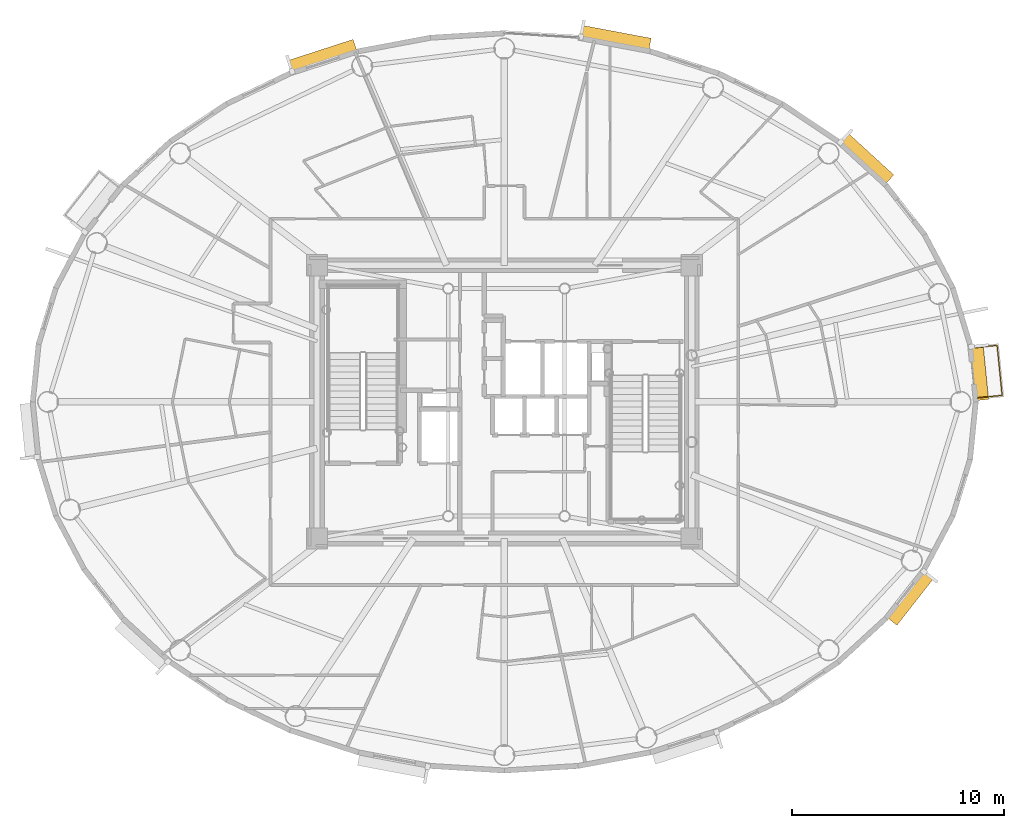
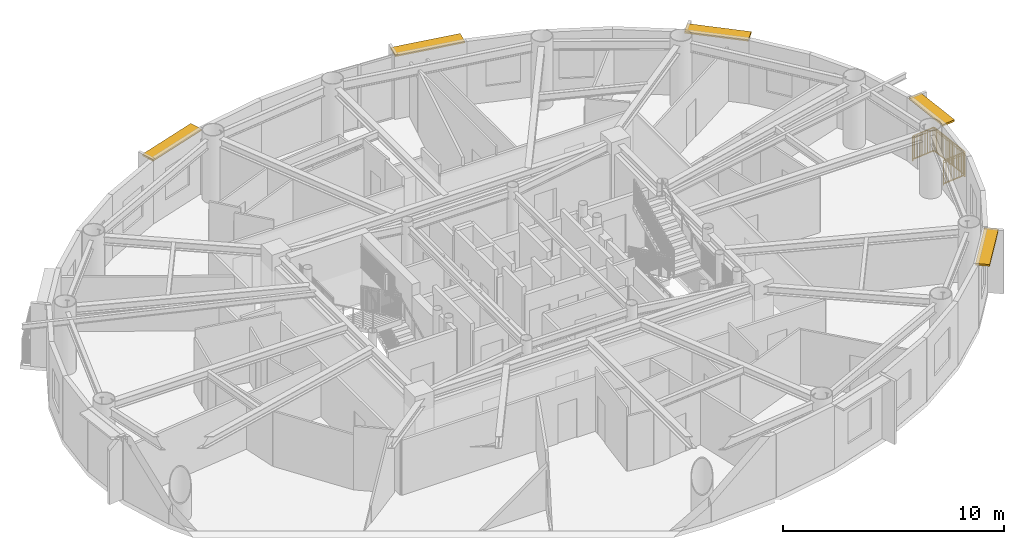
# One storey, part 17 of 17: 5 shading devices, 1 railing.
"""IFC4 building model written with IfcOpenShell, lengths in metres."""

from ifc_helpers import new_model, si_unit, direction, frame, origin, origin_2d, place, context, subcontext, project, spatial, rectangle, extrude, source, transform, mapped, material, layer, layer_set, type_object, element, save


model = new_model("IFC4")

# Units and contexts
model_context = context("Model", 3, precision=1e-05, world=origin(), true_north=direction((0.0, 1.0)))
body_context = subcontext(model_context, "Body", "Model", "MODEL_VIEW")
ifc_project = project(units=[si_unit("LENGTHUNIT", "METRE"), si_unit("AREAUNIT", "SQUARE_METRE"), si_unit("VOLUMEUNIT", "CUBIC_METRE"), si_unit("PLANEANGLEUNIT", "RADIAN"), si_unit("MASSUNIT", "GRAM", prefix="KILO")], contexts=[model_context])

# Site, building, storey
site_placement = place(None, origin())
site = spatial("IfcSite", under=ifc_project, at=site_placement, CompositionType="ELEMENT")
building_placement = place(site_placement, origin())
building = spatial("IfcBuilding", under=site, at=building_placement, Name="Linh Dai School and Residence Tower", CompositionType="ELEMENT")
storey_placement = place(building_placement, frame((0.0, 0.0, 299.25)))
storey = spatial("IfcBuildingStorey", under=building, at=storey_placement, Name="L74", CompositionType="ELEMENT", Elevation=299.25)

# Shading devices
ifc_material_1 = material(Name="Terracotta Ceramic Sunshade", Category="masonry")
ifc_layer = layer(ifc_material_1, 0.10009765625)
ifc_layer_set = layer_set([ifc_layer], Name="Terracotta Ceramic Sunshade")
shading_device_type = type_object("IfcShadingDeviceType", Name="SHD-TC-650", PredefinedType="USERDEFINED", material=ifc_layer_set)
shared_shape_1 = source(origin(), body_context, "Body", "SweptSolid", [
    extrude(rectangle(XDim=2.62353515625, YDim=0.64990234375, at=origin_2d()), origin(), (0.0, 0.0, 1.0), 0.10009765625),
])
shading_device_1_placement = place(storey_placement, frame((58.421875, 28.387939453125, 3.3798828125), z_axis=(0.0, 0.0, 1.0), x_axis=(0.100008034283, -0.994986629598, 0.0)))
element("IfcShadingDevice", 1, at=shading_device_1_placement, inside=storey, type_object=shading_device_type, Name="L74 Terracotta Horizontal Sunshade Band 01", ObjectType="SUNSHADE", PredefinedType="USERDEFINED", context=body_context, shape_type="MappedRepresentation", body=[
    mapped(shared_shape_1, transform((0.0, 0.0, 0.0), x_axis=(1.0, 0.0, 0.0), y_axis=(0.0, 1.0, 0.0), z_axis=(0.0, 0.0, 1.0), scale=1.0)),
])
shared_shape_2 = source(origin(), body_context, "Body", "SweptSolid", [
    extrude(rectangle(XDim=2.9541015625, YDim=0.64990234375, at=origin_2d()), origin(), (0.0, 0.0, 1.0), 0.10009765625),
])
shading_device_2_placement = place(storey_placement, frame((53.0888671875, 38.474609375, 3.3798828125), z_axis=(0.0, 0.0, 1.0), x_axis=(0.737105846394, -0.67577730889, 0.0)))
element("IfcShadingDevice", 2, at=shading_device_2_placement, inside=storey, type_object=shading_device_type, Name="L74 Terracotta Horizontal Sunshade Band 05", ObjectType="SUNSHADE", PredefinedType="USERDEFINED", context=body_context, shape_type="MappedRepresentation", body=[
    mapped(shared_shape_2, transform((0.0, 0.0, 0.0), x_axis=(1.0, 0.0, 0.0), y_axis=(0.0, 1.0, 0.0), z_axis=(0.0, 0.0, 1.0), scale=1.0)),
])
shared_shape_3 = source(origin(), body_context, "Body", "SweptSolid", [
    extrude(rectangle(XDim=3.323486328125, YDim=0.64990234375, at=origin_2d()), origin(), (0.0, 0.0, 1.0), 0.10009765625),
])
shading_device_3_placement = place(storey_placement, frame((41.24267578125, 44.160400390625, 3.3798828125), z_axis=(0.0, 0.0, 1.0), x_axis=(0.982785325002, -0.184751197452, 0.0)))
element("IfcShadingDevice", 3, at=shading_device_3_placement, inside=storey, type_object=shading_device_type, Name="L74 Terracotta Horizontal Sunshade Band 09", ObjectType="SUNSHADE", PredefinedType="USERDEFINED", context=body_context, shape_type="MappedRepresentation", body=[
    mapped(shared_shape_3, transform((0.0, 0.0, 0.0), x_axis=(1.0, 0.0, 0.0), y_axis=(0.0, 1.0, 0.0), z_axis=(0.0, 0.0, 1.0), scale=1.0)),
])
shared_shape_4 = source(origin(), body_context, "Body", "SweptSolid", [
    extrude(rectangle(XDim=3.26171875, YDim=0.64990234375, at=origin_2d()), origin(), (0.0, 0.0, 1.0), 0.10009765625),
])
shading_device_4_placement = place(storey_placement, frame((27.405029296875, 43.307373046875, 3.3798828125), z_axis=(0.0, 0.0, 1.0), x_axis=(0.951218243545, 0.308518805176, 0.0)))
element("IfcShadingDevice", 4, at=shading_device_4_placement, inside=storey, type_object=shading_device_type, Name="L74 Terracotta Horizontal Sunshade Band 13", ObjectType="SUNSHADE", PredefinedType="USERDEFINED", context=body_context, shape_type="MappedRepresentation", body=[
    mapped(shared_shape_4, transform((0.0, 0.0, 0.0), x_axis=(1.0, 0.0, 0.0), y_axis=(0.0, 1.0, 0.0), z_axis=(0.0, 0.0, 1.0), scale=1.0)),
])
shared_shape_5 = source(origin(), body_context, "Body", "SweptSolid", [
    extrude(rectangle(XDim=2.84033203125, YDim=0.64990234375, at=origin_2d()), origin(), (0.0, 0.0, 1.0), 0.10009765625),
])
shading_device_5_placement = place(storey_placement, frame((55.16650390625, 17.7646484375, 3.3798828125), z_axis=(0.0, 0.0, 1.0), x_axis=(-0.616310813471, -0.78750300393, 0.0)))
element("IfcShadingDevice", 5, at=shading_device_5_placement, inside=storey, type_object=shading_device_type, Name="L74 Terracotta Horizontal Sunshade Band 37", ObjectType="SUNSHADE", PredefinedType="USERDEFINED", context=body_context, shape_type="MappedRepresentation", body=[
    mapped(shared_shape_5, transform((0.0, 0.0, 0.0), x_axis=(1.0, 0.0, 0.0), y_axis=(0.0, 1.0, 0.0), z_axis=(0.0, 0.0, 1.0), scale=1.0)),
])

# Railing
ifc_material_2 = material(Name="Structural Steel S355JR", Category="steel")
railing_type = type_object("IfcRailingType", Name="RL-BAL-1400", PredefinedType="BALUSTRADE", material=ifc_material_2)
shared_shape_6 = source(origin(), body_context, "Body", "SweptSolid", [
    extrude(rectangle(XDim=0.048095703125, YDim=0.048095703125, at=origin_2d()), frame((0.0, 0.0, 1.3759765625), z_axis=(0.994994077886, 0.099933903019, 0.0), x_axis=(-0.099933903019, 0.994994077886, 0.0)), (0.0, 0.0, 1.0), 1.179931640625),
    extrude(rectangle(XDim=0.048095703125, YDim=0.048095703125, at=origin_2d()), frame((0.0, 0.0, 0.10009765625), z_axis=(0.994994077886, 0.099933903019, 0.0), x_axis=(-0.099933903019, 0.994994077886, 0.0)), (0.0, 0.0, 1.0), 1.179931640625),
    extrude(rectangle(XDim=0.030029296875, YDim=0.030029296875, at=origin_2d()), frame((0.0, 0.0, 1.239990234375), z_axis=(0.994994077886, 0.099933903019, 0.0), x_axis=(-0.099933903019, 0.994994077886, 0.0)), (0.0, 0.0, 1.0), 1.179931640625),
    extrude(rectangle(XDim=0.02001953125, YDim=0.02001953125, at=origin_2d()), frame((0.09033203125, 0.009033203125, 0.10009765625)), (0.0, 0.0, 1.0), 1.251708984375),
    extrude(rectangle(XDim=0.02001953125, YDim=0.02001953125, at=origin_2d()), frame((0.1806640625, 0.01806640625, 0.10009765625)), (0.0, 0.0, 1.0), 1.251708984375),
    extrude(rectangle(XDim=0.02001953125, YDim=0.02001953125, at=origin_2d()), frame((0.27099609375, 0.027099609375, 0.10009765625)), (0.0, 0.0, 1.0), 1.251708984375),
    extrude(rectangle(XDim=0.02001953125, YDim=0.02001953125, at=origin_2d()), frame((0.361328125, 0.036376953125, 0.10009765625)), (0.0, 0.0, 1.0), 1.251708984375),
    extrude(rectangle(XDim=0.02001953125, YDim=0.02001953125, at=origin_2d()), frame((0.45166015625, 0.04541015625, 0.10009765625)), (0.0, 0.0, 1.0), 1.251708984375),
    extrude(rectangle(XDim=0.02001953125, YDim=0.02001953125, at=origin_2d()), frame((0.5419921875, 0.054443359375, 0.10009765625)), (0.0, 0.0, 1.0), 1.251708984375),
    extrude(rectangle(XDim=0.02001953125, YDim=0.02001953125, at=origin_2d()), frame((0.632080078125, 0.0634765625, 0.10009765625)), (0.0, 0.0, 1.0), 1.251708984375),
    extrude(rectangle(XDim=0.02001953125, YDim=0.02001953125, at=origin_2d()), frame((0.722412109375, 0.072509765625, 0.10009765625)), (0.0, 0.0, 1.0), 1.251708984375),
    extrude(rectangle(XDim=0.02001953125, YDim=0.02001953125, at=origin_2d()), frame((0.812744140625, 0.08154296875, 0.10009765625)), (0.0, 0.0, 1.0), 1.251708984375),
    extrude(rectangle(XDim=0.02001953125, YDim=0.02001953125, at=origin_2d()), frame((0.903076171875, 0.0908203125, 0.10009765625)), (0.0, 0.0, 1.0), 1.251708984375),
    extrude(rectangle(XDim=0.02001953125, YDim=0.02001953125, at=origin_2d()), frame((0.993408203125, 0.099853515625, 0.10009765625)), (0.0, 0.0, 1.0), 1.251708984375),
    extrude(rectangle(XDim=0.02001953125, YDim=0.02001953125, at=origin_2d()), frame((1.083740234375, 0.10888671875, 0.10009765625)), (0.0, 0.0, 1.0), 1.251708984375),
    extrude(rectangle(XDim=0.048095703125, YDim=0.048095703125, at=origin_2d()), frame((1.174072265625, 0.117919921875, 1.3759765625), z_axis=(0.100013082805, -0.994986122148, 0.0), x_axis=(0.994986122148, 0.100013082805, 0.0)), (0.0, 0.0, 1.0), 2.372802734375),
    extrude(rectangle(XDim=0.048095703125, YDim=0.048095703125, at=origin_2d()), frame((1.174072265625, 0.117919921875, 0.10009765625), z_axis=(0.100013082805, -0.994986122148, 0.0), x_axis=(0.994986122148, 0.100013082805, 0.0)), (0.0, 0.0, 1.0), 2.372802734375),
    extrude(rectangle(XDim=0.030029296875, YDim=0.030029296875, at=origin_2d()), frame((1.174072265625, 0.117919921875, 1.239990234375), z_axis=(0.100013082805, -0.994986122148, 0.0), x_axis=(0.994986122148, 0.100013082805, 0.0)), (0.0, 0.0, 1.0), 2.372802734375),
    extrude(rectangle(XDim=0.02001953125, YDim=0.02001953125, at=origin_2d()), frame((1.18359375, 0.0234375, 0.10009765625)), (0.0, 0.0, 1.0), 1.251708984375),
    extrude(rectangle(XDim=0.02001953125, YDim=0.02001953125, at=origin_2d()), frame((1.193115234375, -0.071044921875, 0.10009765625)), (0.0, 0.0, 1.0), 1.251708984375),
    extrude(rectangle(XDim=0.02001953125, YDim=0.02001953125, at=origin_2d()), frame((1.20263671875, -0.165283203125, 0.10009765625)), (0.0, 0.0, 1.0), 1.251708984375),
    extrude(rectangle(XDim=0.02001953125, YDim=0.02001953125, at=origin_2d()), frame((1.212158203125, -0.259765625, 0.10009765625)), (0.0, 0.0, 1.0), 1.251708984375),
    extrude(rectangle(XDim=0.02001953125, YDim=0.02001953125, at=origin_2d()), frame((1.221435546875, -0.354248046875, 0.10009765625)), (0.0, 0.0, 1.0), 1.251708984375),
    extrude(rectangle(XDim=0.02001953125, YDim=0.02001953125, at=origin_2d()), frame((1.23095703125, -0.44873046875, 0.10009765625)), (0.0, 0.0, 1.0), 1.251708984375),
    extrude(rectangle(XDim=0.02001953125, YDim=0.02001953125, at=origin_2d()), frame((1.240478515625, -0.543212890625, 0.10009765625)), (0.0, 0.0, 1.0), 1.251708984375),
    extrude(rectangle(XDim=0.02001953125, YDim=0.02001953125, at=origin_2d()), frame((1.25, -0.637451171875, 0.10009765625)), (0.0, 0.0, 1.0), 1.251708984375),
    extrude(rectangle(XDim=0.02001953125, YDim=0.02001953125, at=origin_2d()), frame((1.259521484375, -0.73193359375, 0.10009765625)), (0.0, 0.0, 1.0), 1.251708984375),
    extrude(rectangle(XDim=0.02001953125, YDim=0.02001953125, at=origin_2d()), frame((1.26904296875, -0.826416015625, 0.10009765625)), (0.0, 0.0, 1.0), 1.251708984375),
    extrude(rectangle(XDim=0.02001953125, YDim=0.02001953125, at=origin_2d()), frame((1.278564453125, -0.9208984375, 0.10009765625)), (0.0, 0.0, 1.0), 1.251708984375),
    extrude(rectangle(XDim=0.02001953125, YDim=0.02001953125, at=origin_2d()), frame((1.2880859375, -1.015380859375, 0.10009765625)), (0.0, 0.0, 1.0), 1.251708984375),
    extrude(rectangle(XDim=0.02001953125, YDim=0.02001953125, at=origin_2d()), frame((1.29736328125, -1.109619140625, 0.10009765625)), (0.0, 0.0, 1.0), 1.251708984375),
    extrude(rectangle(XDim=0.02001953125, YDim=0.02001953125, at=origin_2d()), frame((1.306884765625, -1.2041015625, 0.10009765625)), (0.0, 0.0, 1.0), 1.251708984375),
    extrude(rectangle(XDim=0.02001953125, YDim=0.02001953125, at=origin_2d()), frame((1.31640625, -1.298583984375, 0.10009765625)), (0.0, 0.0, 1.0), 1.251708984375),
    extrude(rectangle(XDim=0.02001953125, YDim=0.02001953125, at=origin_2d()), frame((1.325927734375, -1.39306640625, 0.10009765625)), (0.0, 0.0, 1.0), 1.251708984375),
    extrude(rectangle(XDim=0.02001953125, YDim=0.02001953125, at=origin_2d()), frame((1.33544921875, -1.487548828125, 0.10009765625)), (0.0, 0.0, 1.0), 1.251708984375),
    extrude(rectangle(XDim=0.02001953125, YDim=0.02001953125, at=origin_2d()), frame((1.344970703125, -1.581787109375, 0.10009765625)), (0.0, 0.0, 1.0), 1.251708984375),
    extrude(rectangle(XDim=0.02001953125, YDim=0.02001953125, at=origin_2d()), frame((1.3544921875, -1.67626953125, 0.10009765625)), (0.0, 0.0, 1.0), 1.251708984375),
    extrude(rectangle(XDim=0.02001953125, YDim=0.02001953125, at=origin_2d()), frame((1.364013671875, -1.770751953125, 0.10009765625)), (0.0, 0.0, 1.0), 1.251708984375),
    extrude(rectangle(XDim=0.02001953125, YDim=0.02001953125, at=origin_2d()), frame((1.373291015625, -1.865234375, 0.10009765625)), (0.0, 0.0, 1.0), 1.251708984375),
    extrude(rectangle(XDim=0.02001953125, YDim=0.02001953125, at=origin_2d()), frame((1.3828125, -1.959716796875, 0.10009765625)), (0.0, 0.0, 1.0), 1.251708984375),
    extrude(rectangle(XDim=0.02001953125, YDim=0.02001953125, at=origin_2d()), frame((1.392333984375, -2.053955078125, 0.10009765625)), (0.0, 0.0, 1.0), 1.251708984375),
    extrude(rectangle(XDim=0.02001953125, YDim=0.02001953125, at=origin_2d()), frame((1.40185546875, -2.1484375, 0.10009765625)), (0.0, 0.0, 1.0), 1.251708984375),
    extrude(rectangle(XDim=0.048095703125, YDim=0.048095703125, at=origin_2d()), frame((1.411376953125, -2.242919921875, 1.3759765625), z_axis=(-0.99497348416, -0.100138732862, 0.0), x_axis=(0.100138732862, -0.99497348416, 0.0)), (0.0, 0.0, 1.0), 1.179931640625),
    extrude(rectangle(XDim=0.048095703125, YDim=0.048095703125, at=origin_2d()), frame((1.411376953125, -2.242919921875, 0.10009765625), z_axis=(-0.99497348416, -0.100138732862, 0.0), x_axis=(0.100138732862, -0.99497348416, 0.0)), (0.0, 0.0, 1.0), 1.179931640625),
    extrude(rectangle(XDim=0.030029296875, YDim=0.030029296875, at=origin_2d()), frame((1.411376953125, -2.242919921875, 1.239990234375), z_axis=(-0.99497348416, -0.100138732862, 0.0), x_axis=(0.100138732862, -0.99497348416, 0.0)), (0.0, 0.0, 1.0), 1.179931640625),
    extrude(rectangle(XDim=0.02001953125, YDim=0.02001953125, at=origin_2d()), frame((1.321044921875, -2.251953125, 0.10009765625)), (0.0, 0.0, 1.0), 1.251708984375),
    extrude(rectangle(XDim=0.02001953125, YDim=0.02001953125, at=origin_2d()), frame((1.230712890625, -2.260986328125, 0.10009765625)), (0.0, 0.0, 1.0), 1.251708984375),
    extrude(rectangle(XDim=0.02001953125, YDim=0.02001953125, at=origin_2d()), frame((1.140380859375, -2.270263671875, 0.10009765625)), (0.0, 0.0, 1.0), 1.251708984375),
    extrude(rectangle(XDim=0.02001953125, YDim=0.02001953125, at=origin_2d()), frame((1.050048828125, -2.279296875, 0.10009765625)), (0.0, 0.0, 1.0), 1.251708984375),
    extrude(rectangle(XDim=0.02001953125, YDim=0.02001953125, at=origin_2d()), frame((0.959716796875, -2.288330078125, 0.10009765625)), (0.0, 0.0, 1.0), 1.251708984375),
    extrude(rectangle(XDim=0.02001953125, YDim=0.02001953125, at=origin_2d()), frame((0.869384765625, -2.29736328125, 0.10009765625)), (0.0, 0.0, 1.0), 1.251708984375),
    extrude(rectangle(XDim=0.02001953125, YDim=0.02001953125, at=origin_2d()), frame((0.779296875, -2.306640625, 0.10009765625)), (0.0, 0.0, 1.0), 1.251708984375),
    extrude(rectangle(XDim=0.02001953125, YDim=0.02001953125, at=origin_2d()), frame((0.68896484375, -2.315673828125, 0.10009765625)), (0.0, 0.0, 1.0), 1.251708984375),
    extrude(rectangle(XDim=0.02001953125, YDim=0.02001953125, at=origin_2d()), frame((0.5986328125, -2.32470703125, 0.10009765625)), (0.0, 0.0, 1.0), 1.251708984375),
    extrude(rectangle(XDim=0.02001953125, YDim=0.02001953125, at=origin_2d()), frame((0.50830078125, -2.333740234375, 0.10009765625)), (0.0, 0.0, 1.0), 1.251708984375),
    extrude(rectangle(XDim=0.02001953125, YDim=0.02001953125, at=origin_2d()), frame((0.41796875, -2.343017578125, 0.10009765625)), (0.0, 0.0, 1.0), 1.251708984375),
    extrude(rectangle(XDim=0.02001953125, YDim=0.02001953125, at=origin_2d()), frame((0.32763671875, -2.35205078125, 0.10009765625)), (0.0, 0.0, 1.0), 1.251708984375),
    extrude(rectangle(XDim=0.0419921875, YDim=0.0419921875, at=origin_2d()), origin(), (0.0, 0.0, 1.0), 1.3759765625),
    extrude(rectangle(XDim=0.0419921875, YDim=0.0419921875, at=origin_2d()), frame((1.174072265625, 0.117919921875, 0.0)), (0.0, 0.0, 1.0), 1.3759765625),
    extrude(rectangle(XDim=0.0419921875, YDim=0.0419921875, at=origin_2d()), frame((1.292724609375, -1.0625, 0.0)), (0.0, 0.0, 1.0), 1.3759765625),
    extrude(rectangle(XDim=0.0419921875, YDim=0.0419921875, at=origin_2d()), frame((1.411376953125, -2.242919921875, 0.0)), (0.0, 0.0, 1.0), 1.3759765625),
    extrude(rectangle(XDim=0.0419921875, YDim=0.0419921875, at=origin_2d()), frame((0.2373046875, -2.361083984375, 0.0)), (0.0, 0.0, 1.0), 1.3759765625),
])
railing_placement = place(storey_placement, frame((58.104248046875, 29.548583984375, 0.0)))
element("IfcRailing", 6, at=railing_placement, inside=storey, type_object=railing_type, Name="L74 Balcony Safety Balustrade 01", PredefinedType="BALUSTRADE", context=body_context, shape_type="MappedRepresentation", body=[
    mapped(shared_shape_6, transform((0.0, 0.0, 0.0), x_axis=(1.0, 0.0, 0.0), y_axis=(0.0, 1.0, 0.0), z_axis=(0.0, 0.0, 1.0), scale=1.0)),
])

save(model, "model.ifc")
